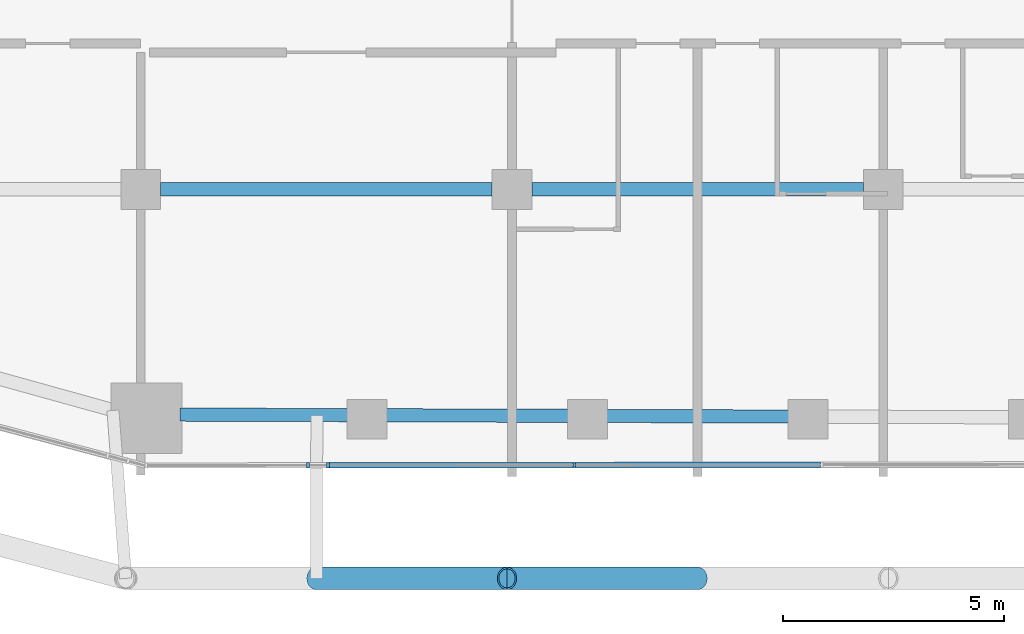
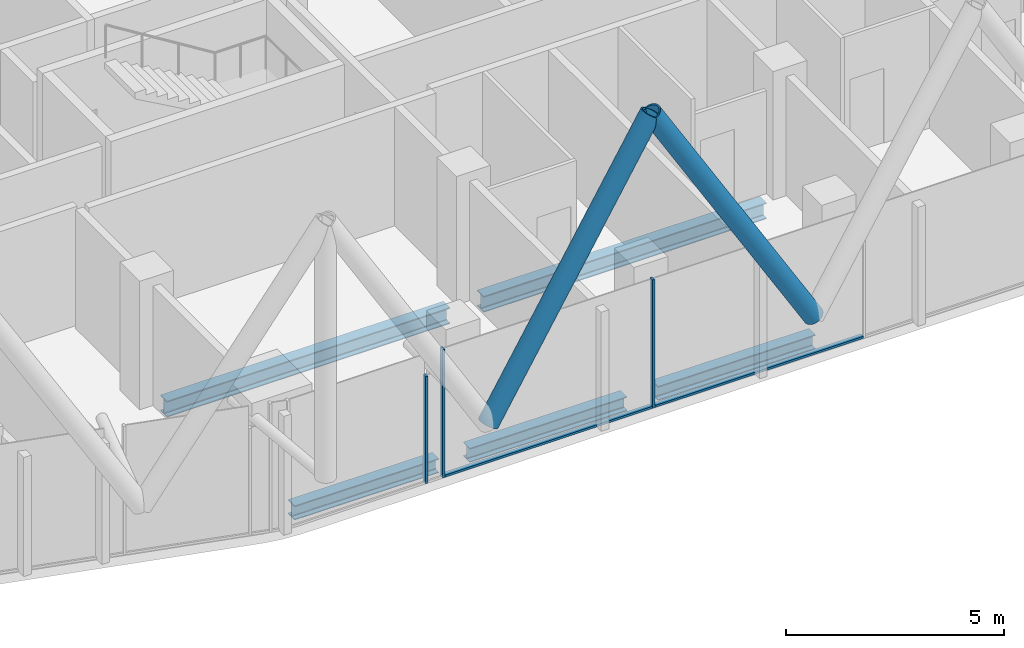
# One storey, part 3 of 36: 7 members, 5 beams, 2 elements without a shape of their own.
"""IFC4 building model written with IfcOpenShell, lengths in metres."""

from ifc_helpers import new_model, si_unit, direction, frame, origin, origin_2d, place, context, subcontext, project, spatial, rectangle, hollow_circle, i_section, extrude, material, layer, layer_set, material_profile, profile_set, type_object, element, aggregate, save


model = new_model("IFC4")

# Units and contexts
model_context = context("Model", 3, precision=1e-05, world=origin(), true_north=direction((0.0, 1.0)))
body_context = subcontext(model_context, "Body", "Model", "MODEL_VIEW")
ifc_project = project(units=[si_unit("LENGTHUNIT", "METRE"), si_unit("AREAUNIT", "SQUARE_METRE"), si_unit("VOLUMEUNIT", "CUBIC_METRE"), si_unit("PLANEANGLEUNIT", "RADIAN"), si_unit("MASSUNIT", "GRAM", prefix="KILO")], contexts=[model_context])

# Site, building, storey
site_placement = place(None, origin())
site = spatial("IfcSite", under=ifc_project, at=site_placement, CompositionType="ELEMENT")
building_placement = place(site_placement, origin())
building = spatial("IfcBuilding", under=site, at=building_placement, Name="Marenta Gate Hotel Tower", CompositionType="ELEMENT")
storey_placement = place(building_placement, frame((0.0, 0.0, 144.5)))
storey = spatial("IfcBuildingStorey", under=building, at=storey_placement, Name="L33", CompositionType="ELEMENT", Elevation=144.5)

# Members
ifc_material_1 = material(Name="Steel S355J2W", Category="steel")
ifc_material_profile_1 = material_profile(ifc_material_1, hollow_circle(Radius=0.25390625, WallThickness=0.0400390625, at=origin_2d()), Name="CHS 508x40")
ifc_profile_set_1 = profile_set([ifc_material_profile_1], Name="Steel S355J2W")
member_type_1 = type_object("IfcMemberType", Name="Diagrid diagonal Z2 CHS 508x40", PredefinedType="BRACE", material=ifc_profile_set_1)
for number, where, z_axis, x_axis, name in (
    (1, (0.0, -25.60009765625, 3.139892578125), (-0.513871079492, 0.0, 0.857867421961), (0.0, -1.0, 0.0), "L33-DG-18"),
    (2, (-8.6259765625, -25.60009765625, 3.139892578125), (0.513871079492, 0.0, 0.857867421961), (0.0, 1.0, 0.0), "L33-DG-19"),
):
    element("IfcMember", number, at=place(storey_placement, frame(where, z_axis=z_axis, x_axis=x_axis)), inside=storey, type_object=member_type_1, Name=name, PredefinedType="BRACE", context=body_context, shape_type="SweptSolid", body=[
        extrude(hollow_circle(Radius=0.25390625, WallThickness=0.0400390625, at=origin_2d()), origin(), (0.0, 0.0, 1.0), 8.39306640625),
    ])

# Beams
ifc_material_2 = material(Name="Steel S355", Category="steel")
ifc_material_profile_2 = material_profile(ifc_material_2, i_section(OverallWidth=0.300048828125, OverallDepth=0.39990234375, WebThickness=0.013427734375, FlangeThickness=0.02392578125, FilletRadius=0.027099609375, at=origin_2d()), Name="HEB 400")
ifc_profile_set_2 = profile_set([ifc_material_profile_2], Name="Steel S355")
beam_type_1 = type_object("IfcBeamType", Name="Edge beam HEB 400", PredefinedType="SPANDREL", material=ifc_profile_set_2)
beam_1_placement = place(storey_placement, frame((2.08349609375, -21.939453125, -0.4599609375), z_axis=(-0.999994808095, 0.003222387769, 0.0), x_axis=(-0.003222387769, -0.999994808095, 0.0)))
element("IfcBeam", 3, at=beam_1_placement, inside=storey, type_object=beam_type_1, Name="L33-EB-34", PredefinedType="SPANDREL", context=body_context, shape_type="SweptSolid", body=[
    extrude(i_section(OverallWidth=0.300048828125, OverallDepth=0.39990234375, WebThickness=0.013427734375, FlangeThickness=0.02392578125, FilletRadius=0.027099609375, at=origin_2d()), origin(), (0.0, 0.0, 1.0), 4.1669921875),
])
beam_2_placement = place(storey_placement, frame((-2.9033203125, -21.92333984375, -0.4599609375), z_axis=(-0.999994807487, 0.003222576575, 0.0), x_axis=(-0.003222576575, -0.999994807487, 0.0)))
element("IfcBeam", 4, at=beam_2_placement, inside=storey, type_object=beam_type_1, Name="L33-EB-35", PredefinedType="SPANDREL", context=body_context, shape_type="SweptSolid", body=[
    extrude(i_section(OverallWidth=0.300048828125, OverallDepth=0.39990234375, WebThickness=0.013427734375, FlangeThickness=0.02392578125, FilletRadius=0.027099609375, at=origin_2d()), origin(), (0.0, 0.0, 1.0), 4.166748046875),
])
beam_3_placement = place(storey_placement, frame((-7.89013671875, -21.907470703125, -0.4599609375), z_axis=(-0.999994677283, 0.003262729738, 0.0), x_axis=(-0.003262729738, -0.999994677283, 0.0)))
element("IfcBeam", 5, at=beam_3_placement, inside=storey, type_object=beam_type_1, Name="L33-EB-36", PredefinedType="SPANDREL", context=body_context, shape_type="SweptSolid", body=[
    extrude(i_section(OverallWidth=0.300048828125, OverallDepth=0.39990234375, WebThickness=0.013427734375, FlangeThickness=0.02392578125, FilletRadius=0.027099609375, at=origin_2d()), origin(), (0.0, 0.0, 1.0), 3.816162109375),
])
ifc_material_3 = material(Name="Steel S355", Category="steel")
ifc_material_profile_3 = material_profile(ifc_material_3, i_section(OverallWidth=0.300048828125, OverallDepth=0.449951171875, WebThickness=0.013916015625, FlangeThickness=0.02587890625, FilletRadius=0.027099609375, at=origin_2d()), Name="HEB 450")
ifc_profile_set_3 = profile_set([ifc_material_profile_3], Name="Steel S355")
beam_type_2 = type_object("IfcBeamType", Name="Girder HEB 450", PredefinedType="BEAM", material=ifc_profile_set_3)
for number, where, z_axis, x_axis, name in (
    (6, (-12.14990234375, -16.800048828125, -0.485107421875), (1.0, 0.0, 0.0), (0.0, 1.0, 0.0), "L33-GD-3"),
    (7, (-3.75, -16.800048828125, -0.485107421875), (1.0, 0.0, 0.0), (0.0, 1.0, 0.0), "L33-GD-4"),
):
    element("IfcBeam", number, at=place(storey_placement, frame(where, z_axis=z_axis, x_axis=x_axis)), inside=storey, type_object=beam_type_2, Name=name, PredefinedType="BEAM", context=body_context, shape_type="SweptSolid", body=[
        extrude(i_section(OverallWidth=0.300048828125, OverallDepth=0.449951171875, WebThickness=0.013916015625, FlangeThickness=0.02587890625, FilletRadius=0.027099609375, at=origin_2d()), origin(), (0.0, 0.0, 1.0), 7.5),
    ])

# Curtain wall, member
ifc_material_4 = material(Name="Tinted insulated glass in bronze anodised frame", Category="glass")
ifc_layer = layer(ifc_material_4, 0.1201171875)
ifc_layer_set = layer_set([ifc_layer], Name="Tinted insulated glass in bronze anodised frame")
curtain_wall_type = type_object("IfcCurtainWallType", Name="Tower unitised curtain wall CW1", PredefinedType="NOTDEFINED", material=ifc_layer_set)
curtain_wall_1_placement = place(storey_placement, origin())
curtain_wall_1 = element("IfcCurtainWall", 8, at=curtain_wall_1_placement, inside=storey, type_object=curtain_wall_type, Name="CW1 run G20", PredefinedType="NOTDEFINED")
ifc_material_5 = material(Name="Bronze anodised aluminium", Category="aluminium")
ifc_material_profile_4 = material_profile(ifc_material_5, rectangle(XDim=0.1201171875, YDim=0.06005859375, at=origin_2d()), Name="Mullion CW1 60x120 bronze anodised aluminium")
ifc_profile_set_4 = profile_set([ifc_material_profile_4], Name="Bronze anodised aluminium")
member_type_2 = type_object("IfcMemberType", Name="Mullion CW1 60x120 bronze anodised aluminium", PredefinedType="MULLION", material=ifc_profile_set_4)
member_1_placement = place(storey_placement, frame((-8.814208984375, -23.04248046875, 0.0), z_axis=(0.0, 0.0, 1.0), x_axis=(-0.001324502144, 0.999999122847, 0.0)))
member_1 = element("IfcMember", 9, at=member_1_placement, type_object=member_type_2, Name="CW1 mullion 1", PredefinedType="MULLION", context=body_context, shape_type="SweptSolid", body=[
    extrude(rectangle(XDim=0.1201171875, YDim=0.06005859375, at=origin_2d()), origin(), (0.0, 0.0, 1.0), 3.00048828125),
])
aggregate(curtain_wall_1, [member_1])

# Curtain wall, members
curtain_wall_2_placement = place(storey_placement, origin())
curtain_wall_2 = element("IfcCurtainWall", 10, at=curtain_wall_2_placement, inside=storey, type_object=curtain_wall_type, Name="CW1 run G21", PredefinedType="NOTDEFINED")
member_2_placement = place(storey_placement, frame((-8.361328125, -23.041748046875, 0.0), z_axis=(0.0, 0.0, 1.0), x_axis=(-0.001363166999, 0.999999070887, 0.0)))
member_2 = element("IfcMember", 11, at=member_2_placement, type_object=member_type_2, Name="CW1 mullion 1", PredefinedType="MULLION", context=body_context, shape_type="SweptSolid", body=[
    extrude(rectangle(XDim=0.1201171875, YDim=0.06005859375, at=origin_2d()), origin(), (0.0, 0.0, 1.0), 3.60009765625),
])
member_3_placement = place(storey_placement, frame((-2.79150390625, -23.0341796875, 0.0), z_axis=(0.0, 0.0, 1.0), x_axis=(-0.001363166999, 0.999999070887, 0.0)))
member_3 = element("IfcMember", 12, at=member_3_placement, type_object=member_type_2, Name="CW1 mullion 2", PredefinedType="MULLION", context=body_context, shape_type="SweptSolid", body=[
    extrude(rectangle(XDim=0.1201171875, YDim=0.06005859375, at=origin_2d()), origin(), (0.0, 0.0, 1.0), 3.60009765625),
])
ifc_material_6 = material(Name="Bronze anodised aluminium", Category="aluminium")
ifc_material_profile_5 = material_profile(ifc_material_6, rectangle(XDim=0.1201171875, YDim=0.06005859375, at=origin_2d()), Name="Transom CW1 60x120 bronze anodised aluminium")
ifc_profile_set_5 = profile_set([ifc_material_profile_5], Name="Bronze anodised aluminium")
member_type_3 = type_object("IfcMemberType", Name="Transom CW1 60x120 bronze anodised aluminium", PredefinedType="USERDEFINED", material=ifc_profile_set_5)
member_4_placement = place(storey_placement, frame((-8.331298828125, -23.041748046875, 0.030029296875), z_axis=(0.999999116461, 0.001329314671, 0.0), x_axis=(-0.001329314671, 0.999999116461, 0.0)))
member_4 = element("IfcMember", 13, at=member_4_placement, type_object=member_type_3, Name="CW1 transom 1.1", ObjectType="TRANSOM", PredefinedType="USERDEFINED", context=body_context, shape_type="SweptSolid", body=[
    extrude(rectangle(XDim=0.1201171875, YDim=0.06005859375, at=origin_2d()), origin(), (0.0, 0.0, 1.0), 5.509765625),
])
member_5_placement = place(storey_placement, frame((-2.76171875, -23.0341796875, 0.030029296875), z_axis=(0.999999066777, 0.001366179149, 0.0), x_axis=(-0.001366179149, 0.999999066777, 0.0)))
member_5 = element("IfcMember", 14, at=member_5_placement, type_object=member_type_3, Name="CW1 transom 2.1", ObjectType="TRANSOM", PredefinedType="USERDEFINED", context=body_context, shape_type="SweptSolid", body=[
    extrude(rectangle(XDim=0.1201171875, YDim=0.06005859375, at=origin_2d()), origin(), (0.0, 0.0, 1.0), 5.539794921875),
])
aggregate(curtain_wall_2, [member_2, member_3, member_4, member_5])

save(model, "model.ifc")
